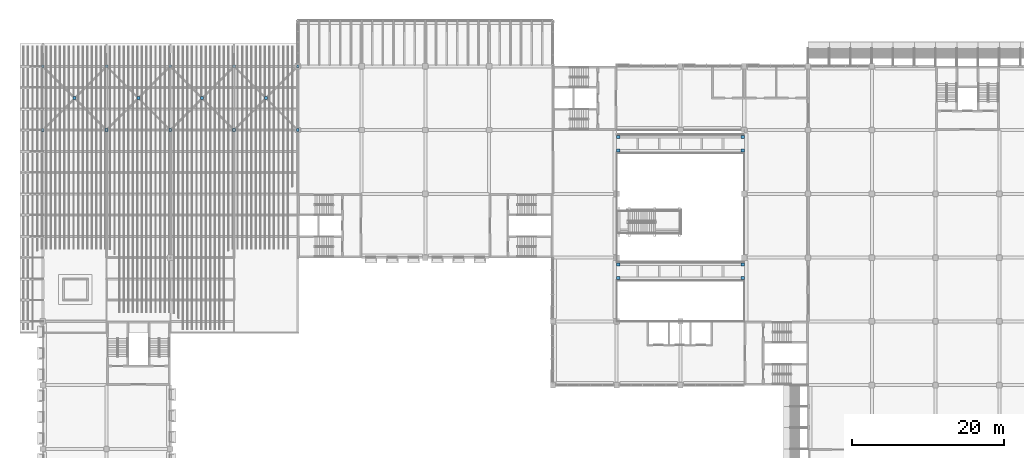
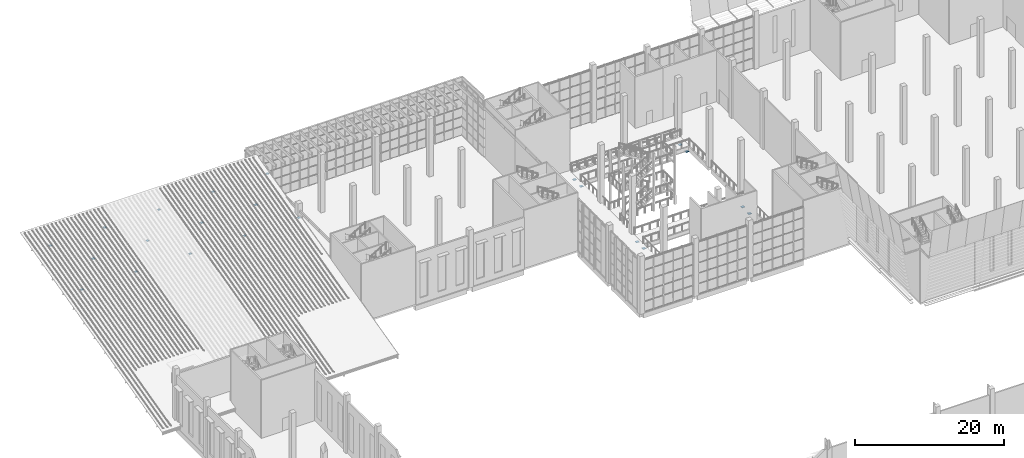
# One storey, part 67 of 114: 22 discrete accessories.
"""IFC4 building model written with IfcOpenShell, lengths in metres."""

from ifc_helpers import new_model, si_unit, direction, frame, origin, origin_2d, place, context, subcontext, project, spatial, rectangle, extrude, material, type_object, element, save


model = new_model("IFC4")

# Units and contexts
model_context = context("Model", 3, precision=1e-05, world=origin(), true_north=direction((0.0, 1.0)))
body_context = subcontext(model_context, "Body", "Model", "MODEL_VIEW")
ifc_project = project(units=[si_unit("LENGTHUNIT", "METRE"), si_unit("AREAUNIT", "SQUARE_METRE"), si_unit("VOLUMEUNIT", "CUBIC_METRE"), si_unit("PLANEANGLEUNIT", "RADIAN"), si_unit("MASSUNIT", "GRAM", prefix="KILO")], contexts=[model_context])

# Site, building, storey
site_placement = place(None, origin())
site = spatial("IfcSite", under=ifc_project, at=site_placement, CompositionType="ELEMENT")
building_placement = place(site_placement, origin())
building = spatial("IfcBuilding", under=site, at=building_placement, Name="Almond Square Museum", CompositionType="ELEMENT")
storey_placement = place(building_placement, frame((0.0, 0.0, 10.5)))
storey = spatial("IfcBuildingStorey", under=building, at=storey_placement, Name="L02", CompositionType="ELEMENT", Elevation=10.5)

# Discrete accessories
ifc_material_1 = material(Name="Structural steel S355", Category="steel")
discrete_accessory_type_1 = type_object("IfcDiscreteAccessoryType", Name="Brace crossing plate", PredefinedType="BRACKET", material=ifc_material_1)
for number, where, z_axis, x_axis, name in (
    (1, (10.199951171875, 105.0, 8.031982421875), (0.0, 0.0, 1.0), (1.0, 0.0, 0.0), "Brace crossing plate"),
    (2, (18.60009765625, 105.0, 8.031982421875), (0.0, 0.0, 1.0), (1.0, 0.0, 0.0), "Brace crossing plate"),
    (3, (27.0, 105.0, 8.031982421875), (0.0, 0.0, 1.0), (1.0, 0.0, 0.0), "Brace crossing plate"),
    (4, (35.39990234375, 105.0, 8.031982421875), (0.0, 0.0, 1.0), (1.0, 0.0, 0.0), "Brace crossing plate"),
):
    element("IfcDiscreteAccessory", number, at=place(storey_placement, frame(where, z_axis=z_axis, x_axis=x_axis)), inside=storey, type_object=discrete_accessory_type_1, Name=name, PredefinedType="BRACKET", context=body_context, shape_type="SweptSolid", body=[
        extrude(rectangle(XDim=0.39990234375, YDim=0.39990234375, at=origin_2d()), origin(), (0.0, 0.0, 1.0), 0.02001953125),
    ])
ifc_material_2 = material(Name="Structural steel S355", Category="steel")
discrete_accessory_type_2 = type_object("IfcDiscreteAccessoryType", Name="Brace end plate", PredefinedType="BRACKET", material=ifc_material_2)
for number, where, z_axis, x_axis, name in (
    (5, (6.0, 100.800048828125, 6.96435546875), (0.0, 0.0, 1.0), (1.0, 0.0, 0.0), "Brace end plate"),
    (6, (14.39990234375, 109.199951171875, 9.08935546875), (0.0, 0.0, 1.0), (1.0, 0.0, 0.0), "Brace end plate"),
    (7, (14.39990234375, 100.800048828125, 6.96435546875), (0.0, 0.0, 1.0), (1.0, 0.0, 0.0), "Brace end plate"),
    (8, (6.0, 109.199951171875, 9.08935546875), (0.0, 0.0, 1.0), (1.0, 0.0, 0.0), "Brace end plate"),
    (9, (22.800048828125, 109.199951171875, 9.08935546875), (0.0, 0.0, 1.0), (1.0, 0.0, 0.0), "Brace end plate"),
    (10, (22.800048828125, 100.800048828125, 6.96435546875), (0.0, 0.0, 1.0), (1.0, 0.0, 0.0), "Brace end plate"),
    (11, (31.199951171875, 109.199951171875, 9.08935546875), (0.0, 0.0, 1.0), (1.0, 0.0, 0.0), "Brace end plate"),
    (12, (31.199951171875, 100.800048828125, 6.96435546875), (0.0, 0.0, 1.0), (1.0, 0.0, 0.0), "Brace end plate"),
    (13, (39.60009765625, 109.199951171875, 9.08935546875), (0.0, 0.0, 1.0), (1.0, 0.0, 0.0), "Brace end plate"),
    (14, (39.60009765625, 100.800048828125, 6.96435546875), (0.0, 0.0, 1.0), (1.0, 0.0, 0.0), "Brace end plate"),
):
    element("IfcDiscreteAccessory", number, at=place(storey_placement, frame(where, z_axis=z_axis, x_axis=x_axis)), inside=storey, type_object=discrete_accessory_type_2, Name=name, PredefinedType="BRACKET", context=body_context, shape_type="SweptSolid", body=[
        extrude(rectangle(XDim=0.360107421875, YDim=0.360107421875, at=origin_2d()), origin(), (0.0, 0.0, 1.0), 0.030029296875),
    ])
ifc_material_3 = material(Name="Structural steel S355", Category="steel")
discrete_accessory_type_3 = type_object("IfcDiscreteAccessoryType", Name="Bridge girder seat bracket", PredefinedType="BRACKET", material=ifc_material_3)
for number, where, z_axis, x_axis, name in (
    (15, (81.824951171875, 81.300048828125, -1.03515625), (0.0, 0.0, 1.0), (1.0, 0.0, 0.0), "Bridge 3 girder seat bracket (fixed end)"),
    (16, (98.175048828125, 81.300048828125, -1.03515625), (0.0, 0.0, 1.0), (1.0, 0.0, 0.0), "Bridge 3 girder seat bracket (sliding end)"),
    (17, (81.824951171875, 83.10009765625, -1.03515625), (0.0, 0.0, 1.0), (1.0, 0.0, 0.0), "Bridge 3 girder seat bracket (fixed end)"),
    (18, (98.175048828125, 83.10009765625, -1.03515625), (0.0, 0.0, 1.0), (1.0, 0.0, 0.0), "Bridge 3 girder seat bracket (sliding end)"),
    (19, (81.824951171875, 98.10009765625, -1.03515625), (0.0, 0.0, 1.0), (1.0, 0.0, 0.0), "Bridge 4 girder seat bracket (fixed end)"),
    (20, (98.175048828125, 98.10009765625, -1.03515625), (0.0, 0.0, 1.0), (1.0, 0.0, 0.0), "Bridge 4 girder seat bracket (sliding end)"),
    (21, (81.824951171875, 99.89990234375, -1.03515625), (0.0, 0.0, 1.0), (1.0, 0.0, 0.0), "Bridge 4 girder seat bracket (fixed end)"),
    (22, (98.175048828125, 99.89990234375, -1.03515625), (0.0, 0.0, 1.0), (1.0, 0.0, 0.0), "Bridge 4 girder seat bracket (sliding end)"),
):
    element("IfcDiscreteAccessory", number, at=place(storey_placement, frame(where, z_axis=z_axis, x_axis=x_axis)), inside=storey, type_object=discrete_accessory_type_3, Name=name, PredefinedType="BRACKET", context=body_context, shape_type="SweptSolid", body=[
        extrude(rectangle(XDim=0.449951171875, YDim=0.39990234375, at=origin_2d()), origin(), (0.0, 0.0, 1.0), 0.050048828125),
    ])

save(model, "model.ifc")
